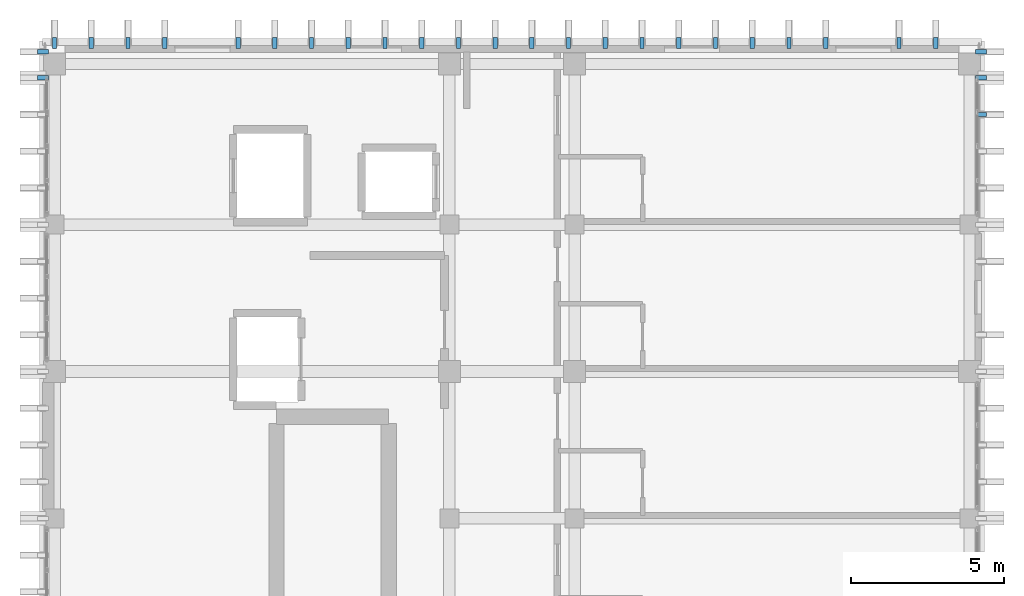
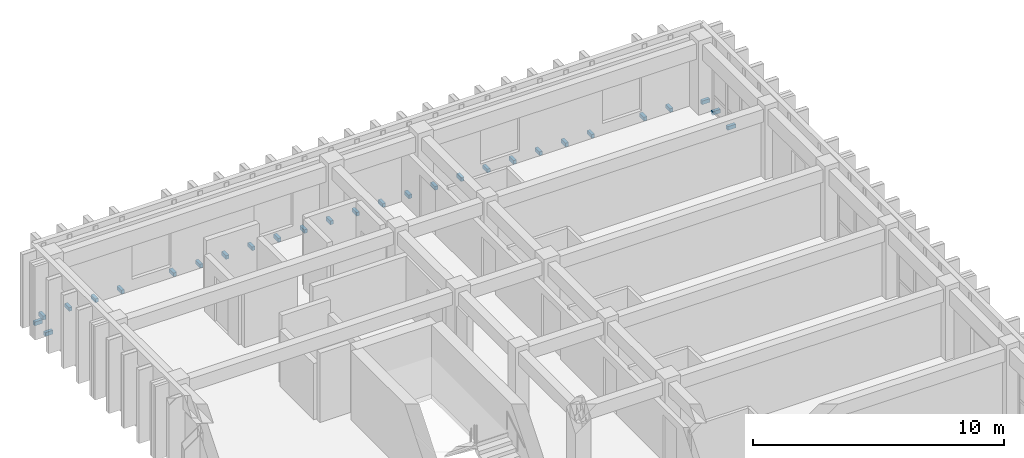
# One storey, part 53 of 59: 28 discrete accessories.
"""IFC4 building model written with IfcOpenShell, lengths in metres."""

from ifc_helpers import new_model, si_unit, direction, frame, origin, origin_2d, place, context, subcontext, project, spatial, rectangle, extrude, material, type_object, element, save


model = new_model("IFC4")

# Units and contexts
model_context = context("Model", 3, precision=1e-05, world=origin(), true_north=direction((0.0, 1.0)))
body_context = subcontext(model_context, "Body", "Model", "MODEL_VIEW")
ifc_project = project(units=[si_unit("LENGTHUNIT", "METRE"), si_unit("AREAUNIT", "SQUARE_METRE"), si_unit("VOLUMEUNIT", "CUBIC_METRE"), si_unit("PLANEANGLEUNIT", "RADIAN"), si_unit("MASSUNIT", "GRAM", prefix="KILO")], contexts=[model_context])

# Site, building, storey
site_placement = place(None, origin())
site = spatial("IfcSite", under=ifc_project, at=site_placement, CompositionType="ELEMENT")
building_placement = place(site_placement, origin())
building = spatial("IfcBuilding", under=site, at=building_placement, Name="Nakhvara Creek Congress Hotel", CompositionType="ELEMENT")
storey_placement = place(building_placement, frame((0.0, 0.0, 31.800048828125)))
storey = spatial("IfcBuildingStorey", under=building, at=storey_placement, Name="L07", CompositionType="ELEMENT", Elevation=31.800048828125)

# Discrete accessories
ifc_material = material(Name="Brushed stainless steel 316L", Category="steel")
discrete_accessory_type = type_object("IfcDiscreteAccessoryType", Name="ACC-BRK-SS316", PredefinedType="BRACKET", material=ifc_material)
for number, where, z_axis, x_axis, name in (
    (1, (179.72998046875, 123.60009765625, -0.10986328125), (0.0, 0.0, 1.0), (0.0, 1.0, 0.0), "Stainless Fin Bracket BK01-1789"),
    (2, (179.72998046875, 124.800048828125, -0.10986328125), (0.0, 0.0, 1.0), (0.0, 1.0, 0.0), "Stainless Fin Bracket BK01-1791"),
    (3, (149.070068359375, 124.800048828125, -0.10986328125), (0.0, 0.0, 1.0), (0.0, 1.0, 0.0), "Stainless Fin Bracket BK01-1792"),
    (4, (179.72998046875, 125.64990234375, -0.10986328125), (0.0, 0.0, 1.0), (0.0, 1.0, 0.0), "Stainless Fin Bracket BK01-1793"),
    (5, (149.070068359375, 125.64990234375, -0.10986328125), (0.0, 0.0, 1.0), (0.0, 1.0, 0.0), "Stainless Fin Bracket BK01-1794"),
    (6, (149.449951171875, 125.93994140625, -0.10986328125), (0.0, 0.0, 1.0), (1.0, 0.0, 0.0), "Stainless Fin Bracket BK01-1795"),
    (7, (150.64990234375, 125.93994140625, -0.10986328125), (0.0, 0.0, 1.0), (1.0, 0.0, 0.0), "Stainless Fin Bracket BK01-1797"),
    (8, (151.85009765625, 125.93994140625, -0.10986328125), (0.0, 0.0, 1.0), (1.0, 0.0, 0.0), "Stainless Fin Bracket BK01-1799"),
    (9, (153.050048828125, 125.93994140625, -0.10986328125), (0.0, 0.0, 1.0), (1.0, 0.0, 0.0), "Stainless Fin Bracket BK01-1801"),
    (10, (155.449951171875, 125.93994140625, -0.10986328125), (0.0, 0.0, 1.0), (1.0, 0.0, 0.0), "Stainless Fin Bracket BK01-1804"),
    (11, (156.64990234375, 125.93994140625, -0.10986328125), (0.0, 0.0, 1.0), (1.0, 0.0, 0.0), "Stainless Fin Bracket BK01-1806"),
    (12, (157.85009765625, 125.93994140625, -0.10986328125), (0.0, 0.0, 1.0), (1.0, 0.0, 0.0), "Stainless Fin Bracket BK01-1808"),
    (13, (159.050048828125, 125.93994140625, -0.10986328125), (0.0, 0.0, 1.0), (1.0, 0.0, 0.0), "Stainless Fin Bracket BK01-1810"),
    (14, (160.25, 125.93994140625, -0.10986328125), (0.0, 0.0, 1.0), (1.0, 0.0, 0.0), "Stainless Fin Bracket BK01-1812"),
    (15, (161.449951171875, 125.93994140625, -0.10986328125), (0.0, 0.0, 1.0), (1.0, 0.0, 0.0), "Stainless Fin Bracket BK01-1814"),
    (16, (162.64990234375, 125.93994140625, -0.10986328125), (0.0, 0.0, 1.0), (1.0, 0.0, 0.0), "Stainless Fin Bracket BK01-1816"),
    (17, (163.85009765625, 125.93994140625, -0.10986328125), (0.0, 0.0, 1.0), (1.0, 0.0, 0.0), "Stainless Fin Bracket BK01-1818"),
    (18, (165.050048828125, 125.93994140625, -0.10986328125), (0.0, 0.0, 1.0), (1.0, 0.0, 0.0), "Stainless Fin Bracket BK01-1819"),
    (19, (166.25, 125.93994140625, -0.10986328125), (0.0, 0.0, 1.0), (1.0, 0.0, 0.0), "Stainless Fin Bracket BK01-1820"),
    (20, (167.449951171875, 125.93994140625, -0.10986328125), (0.0, 0.0, 1.0), (1.0, 0.0, 0.0), "Stainless Fin Bracket BK01-1822"),
    (21, (168.64990234375, 125.93994140625, -0.10986328125), (0.0, 0.0, 1.0), (1.0, 0.0, 0.0), "Stainless Fin Bracket BK01-1824"),
    (22, (169.85009765625, 125.93994140625, -0.10986328125), (0.0, 0.0, 1.0), (1.0, 0.0, 0.0), "Stainless Fin Bracket BK01-1825"),
    (23, (171.050048828125, 125.93994140625, -0.10986328125), (0.0, 0.0, 1.0), (1.0, 0.0, 0.0), "Stainless Fin Bracket BK01-1827"),
    (24, (172.25, 125.93994140625, -0.10986328125), (0.0, 0.0, 1.0), (1.0, 0.0, 0.0), "Stainless Fin Bracket BK01-1829"),
    (25, (173.449951171875, 125.93994140625, -0.10986328125), (0.0, 0.0, 1.0), (1.0, 0.0, 0.0), "Stainless Fin Bracket BK01-1831"),
    (26, (174.64990234375, 125.93994140625, -0.10986328125), (0.0, 0.0, 1.0), (1.0, 0.0, 0.0), "Stainless Fin Bracket BK01-1833"),
    (27, (177.050048828125, 125.93994140625, -0.10986328125), (0.0, 0.0, 1.0), (1.0, 0.0, 0.0), "Stainless Fin Bracket BK01-1836"),
    (28, (178.25, 125.93994140625, -0.10986328125), (0.0, 0.0, 1.0), (1.0, 0.0, 0.0), "Stainless Fin Bracket BK01-1838"),
):
    element("IfcDiscreteAccessory", number, at=place(storey_placement, frame(where, z_axis=z_axis, x_axis=x_axis)), inside=storey, type_object=discrete_accessory_type, Name=name, PredefinedType="BRACKET", context=body_context, shape_type="SweptSolid", body=[
        extrude(rectangle(XDim=0.139892578125, YDim=0.360107421875, at=origin_2d()), origin(), (0.0, 0.0, 1.0), 0.179931640625),
    ])

save(model, "model.ifc")
